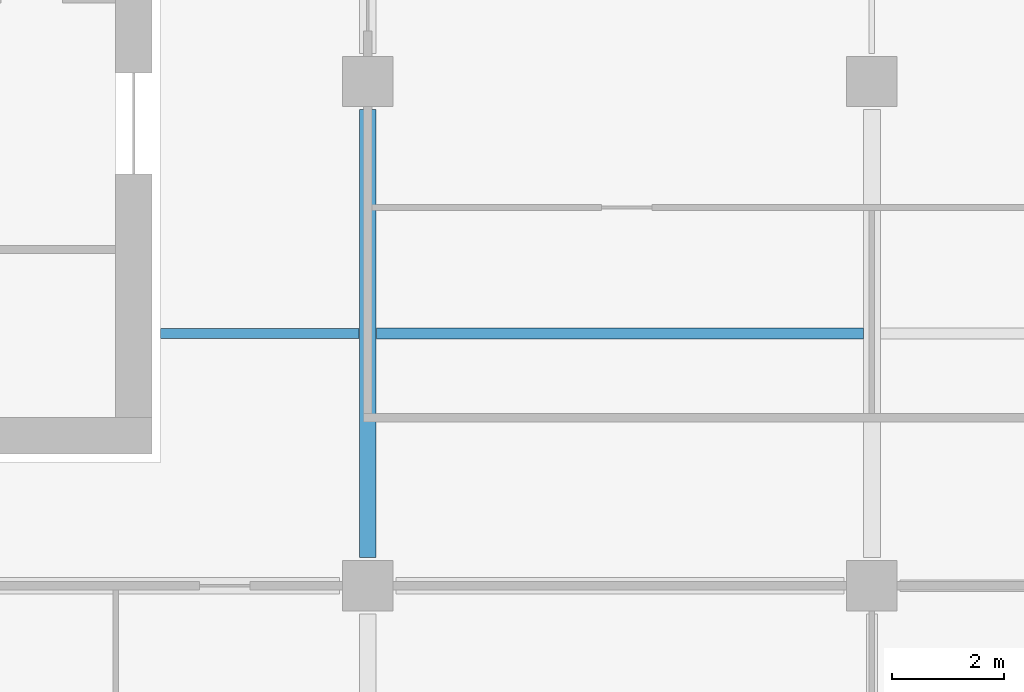
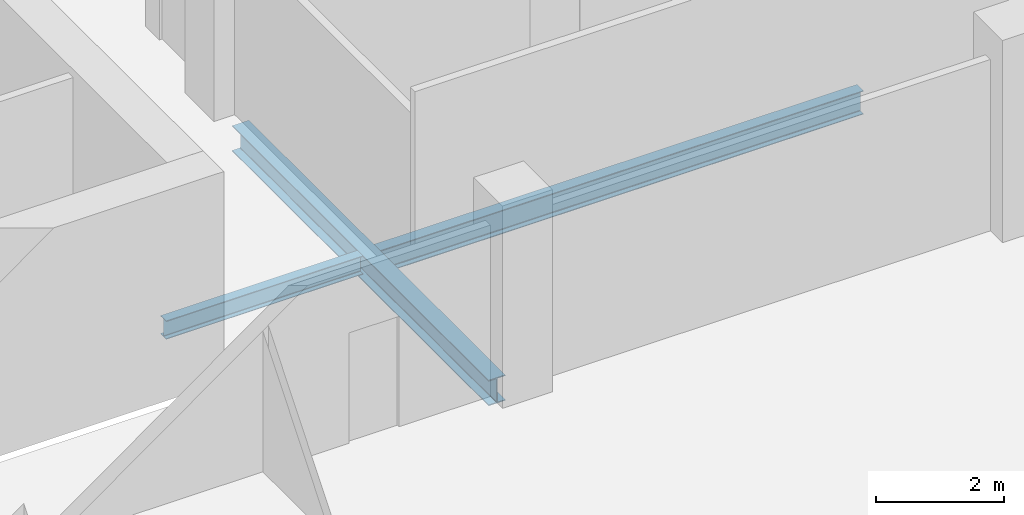
# One storey, part 13 of 29: 3 beams.
"""IFC4 building model written with IfcOpenShell, lengths in metres."""

from ifc_helpers import new_model, si_unit, direction, frame, origin, origin_2d, place, context, subcontext, project, spatial, i_section, extrude, material, material_profile, profile_set, type_object, element, save


model = new_model("IFC4")

# Units and contexts
model_context = context("Model", 3, precision=1e-05, world=origin(), true_north=direction((0.0, 1.0)))
body_context = subcontext(model_context, "Body", "Model", "MODEL_VIEW")
ifc_project = project(units=[si_unit("LENGTHUNIT", "METRE"), si_unit("AREAUNIT", "SQUARE_METRE"), si_unit("VOLUMEUNIT", "CUBIC_METRE"), si_unit("PLANEANGLEUNIT", "RADIAN"), si_unit("MASSUNIT", "GRAM", prefix="KILO")], contexts=[model_context])

# Site, building, storey
site_placement = place(None, origin())
site = spatial("IfcSite", under=ifc_project, at=site_placement, CompositionType="ELEMENT")
building_placement = place(site_placement, origin())
building = spatial("IfcBuilding", under=site, at=building_placement, Name="Cinnabar Reach Civic Tower", CompositionType="ELEMENT")
storey_placement = place(building_placement, frame((0.0, 0.0, 149.0)))
storey = spatial("IfcBuildingStorey", under=building, at=storey_placement, Name="L35", CompositionType="ELEMENT", Elevation=149.0)

# Beams
ifc_material = material(Name="Steel Q355B", Category="steel")
ifc_material_profile_1 = material_profile(ifc_material, i_section(OverallWidth=0.3, OverallDepth=0.488, WebThickness=0.011, FlangeThickness=0.018, FilletRadius=0.016, at=origin_2d()), Name="HM488x300x11x18")
ifc_profile_set_1 = profile_set([ifc_material_profile_1], Name="Steel Q355B")
beam_type_1 = type_object("IfcBeamType", Name="HM488x300x11x18 beam R 180", PredefinedType="BEAM", material=ifc_profile_set_1)
beam_1_placement = place(storey_placement, frame((27.0, 18.502, -0.394), z_axis=(0.0, 1.0, 0.0), x_axis=(-1.0, 0.0, 0.0)))
element("IfcBeam", 1, at=beam_1_placement, inside=storey, type_object=beam_type_1, Name="Girder T1 L35 11", PredefinedType="BEAM", context=body_context, shape_type="SweptSolid", body=[
    extrude(i_section(OverallWidth=0.3, OverallDepth=0.488, WebThickness=0.011, FlangeThickness=0.018, FilletRadius=0.016, at=origin_2d()), origin(), (0.0, 0.0, 1.0), 7.996),
])
ifc_material_profile_2 = material_profile(ifc_material, i_section(OverallWidth=0.175, OverallDepth=0.35, WebThickness=0.007, FlangeThickness=0.011, FilletRadius=0.013, at=origin_2d()), Name="HN350x175x7x11")
ifc_profile_set_2 = profile_set([ifc_material_profile_2], Name="Steel Q355B")
beam_type_2 = type_object("IfcBeamType", Name="HN350x175x7x11 beam R 180", PredefinedType="BEAM", material=ifc_profile_set_2)
beam_2_placement = place(storey_placement, frame((23.302, 22.5, -0.325), z_axis=(1.0, 0.0, 0.0), x_axis=(0.0, 1.0, 0.0)))
element("IfcBeam", 2, at=beam_2_placement, inside=storey, type_object=beam_type_2, Name="Secondary beam T1 L35 7", PredefinedType="BEAM", context=body_context, shape_type="SweptSolid", body=[
    extrude(i_section(OverallWidth=0.175, OverallDepth=0.35, WebThickness=0.007, FlangeThickness=0.011, FilletRadius=0.013, at=origin_2d()), origin(), (0.0, 0.0, 1.0), 3.546),
])
ifc_material_profile_3 = material_profile(ifc_material, i_section(OverallWidth=0.2, OverallDepth=0.45, WebThickness=0.009, FlangeThickness=0.014, FilletRadius=0.016, at=origin_2d()), Name="HN450x200x9x14")
ifc_profile_set_3 = profile_set([ifc_material_profile_3], Name="Steel Q355B")
beam_type_3 = type_object("IfcBeamType", Name="HN450x200x9x14 beam R 180", PredefinedType="BEAM", material=ifc_profile_set_3)
beam_3_placement = place(storey_placement, frame((27.152, 22.5, -0.375), z_axis=(1.0, 0.0, 0.0), x_axis=(0.0, 1.0, 0.0)))
element("IfcBeam", 3, at=beam_3_placement, inside=storey, type_object=beam_type_3, Name="Secondary beam T1 L35 8", PredefinedType="BEAM", context=body_context, shape_type="SweptSolid", body=[
    extrude(i_section(OverallWidth=0.2, OverallDepth=0.45, WebThickness=0.009, FlangeThickness=0.014, FilletRadius=0.016, at=origin_2d()), origin(), (0.0, 0.0, 1.0), 8.696),
])

save(model, "model.ifc")
